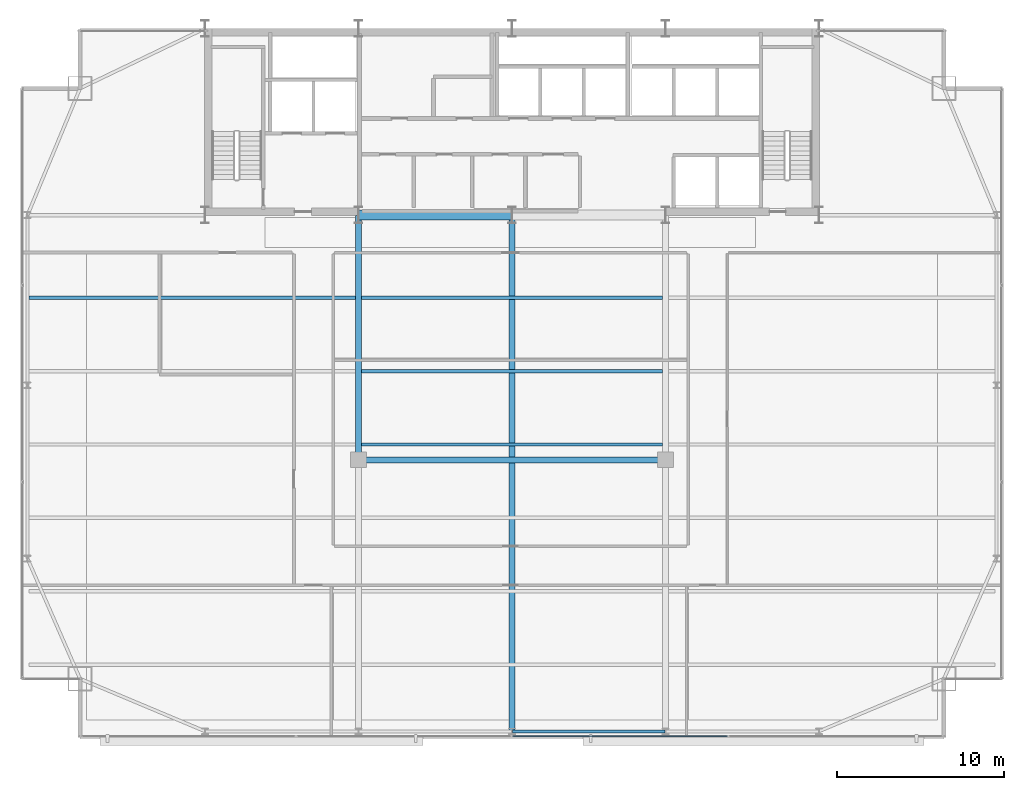
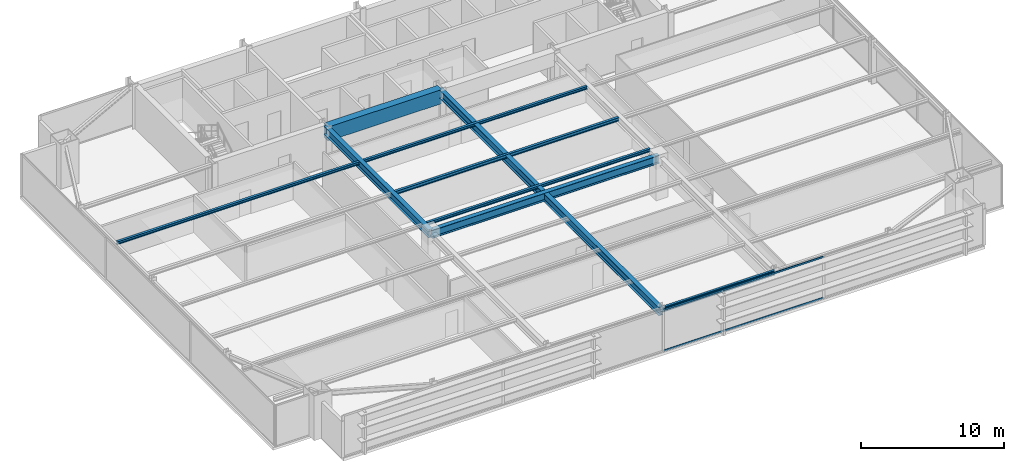
# One storey, part 11 of 30: 9 beams, 2 members, 1 element without a shape of its own.
"""IFC4 building model written with IfcOpenShell, lengths in metres."""

from ifc_helpers import new_model, si_unit, direction, frame, origin, origin_2d, place, context, subcontext, project, spatial, rectangle, hollow_rectangle, i_section, extrude, source, transform, mapped, material, layer, layer_set, material_profile, profile_set, type_object, type_shapes, element, aggregate, save


model = new_model("IFC4")

# Units and contexts
model_context = context("Model", 3, precision=1e-05, world=origin(), true_north=direction((0.0, 1.0)))
body_context = subcontext(model_context, "Body", "Model", "MODEL_VIEW")
ifc_project = project(units=[si_unit("LENGTHUNIT", "METRE"), si_unit("AREAUNIT", "SQUARE_METRE"), si_unit("VOLUMEUNIT", "CUBIC_METRE"), si_unit("PLANEANGLEUNIT", "RADIAN"), si_unit("MASSUNIT", "GRAM", prefix="KILO")], contexts=[model_context])

# Site, building, storey
site_placement = place(None, origin())
site = spatial("IfcSite", under=ifc_project, at=site_placement, CompositionType="ELEMENT")
building_placement = place(site_placement, origin())
building = spatial("IfcBuilding", under=site, at=building_placement, Name="Varnel Quay Broadcast Tower", CompositionType="ELEMENT")
storey_placement = place(building_placement, frame((0.0, 0.0, 122.0)))
storey = spatial("IfcBuildingStorey", under=building, at=storey_placement, Name="L29", CompositionType="ELEMENT", Elevation=122.0)

# Beams
ifc_material_1 = material(Name="Structural Steel CSA G40.21 350W", Category="steel")
ifc_material_profile_1 = material_profile(ifc_material_1, i_section(OverallWidth=0.180908203125, OverallDepth=0.4169921875, WebThickness=0.010986328125, FlangeThickness=0.018310546875, FilletRadius=0.011962890625, at=origin_2d()), Name="W410X85")
ifc_profile_set_1 = profile_set([ifc_material_profile_1], Name="Structural Steel CSA G40.21 350W")
beam_type_1 = type_object("IfcBeamType", Name="Beam_W410X85", PredefinedType="SPANDREL", material=ifc_profile_set_1)
shared_shape_1 = source(origin(), body_context, "Body", "SweptSolid", [
    extrude(i_section(OverallWidth=0.180908203125, OverallDepth=0.4169921875, WebThickness=0.010986328125, FlangeThickness=0.018310546875, FilletRadius=0.011962890625, at=origin_2d()), origin(), (0.0, 0.0, 1.0), 9.159912109375),
])
type_shapes(beam_type_1, [shared_shape_1])
beam_1_placement = place(storey_placement, frame((34.02001953125, 4.64990234375, 3.341552734375), z_axis=(1.0, 0.0, 0.0), x_axis=(0.0, 1.0, 0.0)))
element("IfcBeam", 1, at=beam_1_placement, inside=storey, type_object=beam_type_1, Name="L29 South Spandrel TC-S3-TC-S4", PredefinedType="SPANDREL", context=body_context, shape_type="MappedRepresentation", body=[
    mapped(shared_shape_1, transform((0.0, 0.0, 0.0), x_axis=(1.0, 0.0, 0.0), y_axis=(0.0, 1.0, 0.0), z_axis=(0.0, 0.0, 1.0), scale=1.0)),
])
ifc_material_2 = material(Name="Concrete CSA A23.3 C60/75", Category="concrete")
ifc_material_profile_2 = material_profile(ifc_material_2, rectangle(XDim=0.60009765625, YDim=1.199951171875, at=origin_2d()), Name="RC600X1200")
ifc_profile_set_2 = profile_set([ifc_material_profile_2], Name="Concrete CSA A23.3 C60/75")
beam_type_2 = type_object("IfcBeamType", Name="Beam_RC600X1200", PredefinedType="BEAM", material=ifc_profile_set_2)
shared_shape_2 = source(origin(), body_context, "Body", "SweptSolid", [
    extrude(rectangle(XDim=0.60009765625, YDim=1.199951171875, at=origin_2d()), origin(), (0.0, 0.0, 1.0), 9.159912109375),
])
type_shapes(beam_type_2, [shared_shape_2])
beam_2_placement = place(storey_placement, frame((24.820068359375, 35.60009765625, 2.949951171875), z_axis=(1.0, 0.0, 0.0), x_axis=(0.0, 1.0, 0.0)))
element("IfcBeam", 2, at=beam_2_placement, inside=storey, type_object=beam_type_2, Name="L29 Core Coupling Beam W", PredefinedType="BEAM", context=body_context, shape_type="MappedRepresentation", body=[
    mapped(shared_shape_2, transform((0.0, 0.0, 0.0), x_axis=(1.0, 0.0, 0.0), y_axis=(0.0, 1.0, 0.0), z_axis=(0.0, 0.0, 1.0), scale=1.0)),
])
ifc_material_profile_3 = material_profile(ifc_material_1, i_section(OverallWidth=0.35498046875, OverallDepth=0.695068359375, WebThickness=0.015380859375, FlangeThickness=0.02490234375, FilletRadius=0.01806640625, at=origin_2d()), Name="W690X217")
ifc_profile_set_3 = profile_set([ifc_material_profile_3], Name="Structural Steel CSA G40.21 350W")
beam_type_3 = type_object("IfcBeamType", Name="Girder_W690X217", PredefinedType="BEAM", material=ifc_profile_set_3)
shared_shape_3 = source(origin(), body_context, "Body", "SweptSolid", [
    extrude(i_section(OverallWidth=0.35498046875, OverallDepth=0.695068359375, WebThickness=0.015380859375, FlangeThickness=0.02490234375, FilletRadius=0.01806640625, at=origin_2d()), origin(), (0.0, 0.0, 1.0), 14.630126953125),
])
beam_3_placement = place(storey_placement, frame((24.800048828125, 20.949951171875, 3.202392578125), z_axis=(0.0, 1.0, 0.0), x_axis=(-1.0, 0.0, 0.0)))
element("IfcBeam", 3, at=beam_3_placement, inside=storey, type_object=beam_type_3, Name="L29 Primary Girder IC-01-CC-S2", PredefinedType="BEAM", context=body_context, shape_type="MappedRepresentation", body=[
    mapped(shared_shape_3, transform((0.0, 0.0, 0.0), x_axis=(1.0, 0.0, 0.0), y_axis=(0.0, 1.0, 0.0), z_axis=(0.0, 0.0, 1.0), scale=1.0)),
])
shared_shape_4 = source(origin(), body_context, "Body", "SweptSolid", [
    extrude(i_section(OverallWidth=0.35498046875, OverallDepth=0.695068359375, WebThickness=0.015380859375, FlangeThickness=0.02490234375, FilletRadius=0.01806640625, at=origin_2d()), origin(), (0.0, 0.0, 1.0), 18.35986328125),
])
beam_4_placement = place(storey_placement, frame((24.820068359375, 20.929931640625, 3.202392578125), z_axis=(1.0, 0.0, 0.0), x_axis=(0.0, 1.0, 0.0)))
element("IfcBeam", 4, at=beam_4_placement, inside=storey, type_object=beam_type_3, Name="L29 Interior Spine Girder", PredefinedType="BEAM", context=body_context, shape_type="MappedRepresentation", body=[
    mapped(shared_shape_4, transform((0.0, 0.0, 0.0), x_axis=(1.0, 0.0, 0.0), y_axis=(0.0, 1.0, 0.0), z_axis=(0.0, 0.0, 1.0), scale=1.0)),
])
shared_shape_5 = source(origin(), body_context, "Body", "SweptSolid", [
    extrude(i_section(OverallWidth=0.35498046875, OverallDepth=0.695068359375, WebThickness=0.015380859375, FlangeThickness=0.02490234375, FilletRadius=0.01806640625, at=origin_2d()), origin(), (0.0, 0.0, 1.0), 30.91015625),
])
type_shapes(beam_type_3, [shared_shape_3, shared_shape_4, shared_shape_5])
beam_5_placement = place(storey_placement, frame((34.0, 4.669921875, 3.202392578125), z_axis=(0.0, 1.0, 0.0), x_axis=(-1.0, 0.0, 0.0)))
element("IfcBeam", 5, at=beam_5_placement, inside=storey, type_object=beam_type_3, Name="L29 Central Bay Girder", PredefinedType="BEAM", context=body_context, shape_type="MappedRepresentation", body=[
    mapped(shared_shape_5, transform((0.0, 0.0, 0.0), x_axis=(1.0, 0.0, 0.0), y_axis=(0.0, 1.0, 0.0), z_axis=(0.0, 0.0, 1.0), scale=1.0)),
])
ifc_material_profile_4 = material_profile(ifc_material_1, i_section(OverallWidth=0.202880859375, OverallDepth=0.302978515625, WebThickness=0.007568359375, FlangeThickness=0.01318359375, FilletRadius=0.011962890625, at=origin_2d()), Name="W310X60")
ifc_profile_set_4 = profile_set([ifc_material_profile_4], Name="Structural Steel CSA G40.21 350W")
beam_type_4 = type_object("IfcBeamType", Name="Beam_W310X60", PredefinedType="JOIST", material=ifc_profile_set_4)
shared_shape_6 = source(origin(), body_context, "Body", "SweptSolid", [
    extrude(i_section(OverallWidth=0.202880859375, OverallDepth=0.302978515625, WebThickness=0.007568359375, FlangeThickness=0.01318359375, FilletRadius=0.011962890625, at=origin_2d()), origin(), (0.0, 0.0, 1.0), 18.05517578125),
])
type_shapes(beam_type_4, [shared_shape_6])
beam_6_placement = place(storey_placement, frame((24.972412109375, 26.25, 3.3984375), z_axis=(1.0, 0.0, 0.0), x_axis=(0.0, 1.0, 0.0)))
element("IfcBeam", 6, at=beam_6_placement, inside=storey, type_object=beam_type_4, Name="L29 Central Floor Joist 5", PredefinedType="JOIST", context=body_context, shape_type="MappedRepresentation", body=[
    mapped(shared_shape_6, transform((0.0, 0.0, 0.0), x_axis=(1.0, 0.0, 0.0), y_axis=(0.0, 1.0, 0.0), z_axis=(0.0, 0.0, 1.0), scale=1.0)),
])
ifc_material_profile_5 = material_profile(ifc_material_1, i_section(OverallWidth=0.201904296875, OverallDepth=0.2470703125, WebThickness=0.00732421875, FlangeThickness=0.010986328125, FilletRadius=0.010986328125, at=origin_2d()), Name="W250X49")
ifc_profile_set_5 = profile_set([ifc_material_profile_5], Name="Structural Steel CSA G40.21 350W")
beam_type_5 = type_object("IfcBeamType", Name="Beam_W250X49", PredefinedType="JOIST", material=ifc_profile_set_5)
shared_shape_7 = source(origin(), body_context, "Body", "SweptSolid", [
    extrude(i_section(OverallWidth=0.201904296875, OverallDepth=0.2470703125, WebThickness=0.00732421875, FlangeThickness=0.010986328125, FilletRadius=0.010986328125, at=origin_2d()), origin(), (0.0, 0.0, 1.0), 19.592041015625),
])
beam_7_placement = place(storey_placement, frame((5.035400390625, 30.64990234375, 3.426513671875), z_axis=(1.0, 0.0, 0.0), x_axis=(0.0, 1.0, 0.0)))
element("IfcBeam", 7, at=beam_7_placement, inside=storey, type_object=beam_type_5, Name="L29 West Floor Joist 6", PredefinedType="JOIST", context=body_context, shape_type="MappedRepresentation", body=[
    mapped(shared_shape_7, transform((0.0, 0.0, 0.0), x_axis=(1.0, 0.0, 0.0), y_axis=(0.0, 1.0, 0.0), z_axis=(0.0, 0.0, 1.0), scale=1.0)),
])
shared_shape_8 = source(origin(), body_context, "Body", "SweptSolid", [
    extrude(i_section(OverallWidth=0.201904296875, OverallDepth=0.2470703125, WebThickness=0.00732421875, FlangeThickness=0.010986328125, FilletRadius=0.010986328125, at=origin_2d()), origin(), (0.0, 0.0, 1.0), 18.05517578125),
])
type_shapes(beam_type_5, [shared_shape_7, shared_shape_8])
for number, where, z_axis, x_axis, name in (
    (8, (24.972412109375, 21.85009765625, 3.426513671875), (1.0, 0.0, 0.0), (0.0, 1.0, 0.0), "L29 Central Floor Joist 4"),
    (9, (24.972412109375, 30.64990234375, 3.426513671875), (1.0, 0.0, 0.0), (0.0, 1.0, 0.0), "L29 Central Floor Joist 6"),
):
    element("IfcBeam", number, at=place(storey_placement, frame(where, z_axis=z_axis, x_axis=x_axis)), inside=storey, type_object=beam_type_5, Name=name, PredefinedType="JOIST", context=body_context, shape_type="MappedRepresentation", body=[
        mapped(shared_shape_8, transform((0.0, 0.0, 0.0), x_axis=(1.0, 0.0, 0.0), y_axis=(0.0, 1.0, 0.0), z_axis=(0.0, 0.0, 1.0), scale=1.0)),
    ])

# Curtain wall, members
ifc_material_3 = material(Name="Anodised Bronze Aluminium 6063-T6", Category="aluminium")
ifc_layer = layer(ifc_material_3, 0.18994140625, Name="Anodised Bronze Aluminium 6063-T6")
ifc_layer_set = layer_set([ifc_layer], Name="Anodised Bronze Aluminium 6063-T6")
curtain_wall_type = type_object("IfcCurtainWallType", Name="CW_LowerTower", PredefinedType="NOTDEFINED", material=ifc_layer_set)
curtain_wall_placement = place(storey_placement, origin())
curtain_wall = element("IfcCurtainWall", 10, at=curtain_wall_placement, inside=storey, type_object=curtain_wall_type, Name="L29 South Unitised Curtain Wall 1", PredefinedType="NOTDEFINED")
ifc_material_profile_6 = material_profile(ifc_material_3, hollow_rectangle(XDim=0.06005859375, YDim=0.14501953125, WallThickness=0.00341796875, at=origin_2d()), Name="ALU60X145X3.5")
ifc_profile_set_6 = profile_set([ifc_material_profile_6], Name="Anodised Bronze Aluminium 6063-T6")
member_type = type_object("IfcMemberType", Name="Tran_CWS-02", PredefinedType="USERDEFINED", material=ifc_profile_set_6)
shared_shape_9 = source(origin(), body_context, "Body", "SweptSolid", [
    extrude(hollow_rectangle(XDim=0.06005859375, YDim=0.14501953125, WallThickness=0.00341796875, at=origin_2d()), origin(), (0.0, 0.0, 1.0), 12.880126953125),
])
type_shapes(member_type, [shared_shape_9])
member_1_placement = place(storey_placement, frame((34.034912109375, 4.35009765625, 0.030029296875), z_axis=(1.0, 0.0, 0.0), x_axis=(0.0, 1.0, 0.0)))
member_1 = element("IfcMember", 11, at=member_1_placement, type_object=member_type, Name="CWS-02 transom 3.1", ObjectType="TRANSOM", PredefinedType="USERDEFINED", context=body_context, shape_type="MappedRepresentation", body=[
    mapped(shared_shape_9, transform((0.0, 0.0, 0.0), x_axis=(1.0, 0.0, 0.0), y_axis=(0.0, 1.0, 0.0), z_axis=(0.0, 0.0, 1.0), scale=1.0)),
])
member_2_placement = place(storey_placement, frame((34.034912109375, 4.35009765625, 3.52001953125), z_axis=(1.0, 0.0, 0.0), x_axis=(0.0, 1.0, 0.0)))
member_2 = element("IfcMember", 12, at=member_2_placement, type_object=member_type, Name="CWS-02 transom 3.2", ObjectType="TRANSOM", PredefinedType="USERDEFINED", context=body_context, shape_type="MappedRepresentation", body=[
    mapped(shared_shape_9, transform((0.0, 0.0, 0.0), x_axis=(1.0, 0.0, 0.0), y_axis=(0.0, 1.0, 0.0), z_axis=(0.0, 0.0, 1.0), scale=1.0)),
])
aggregate(curtain_wall, [member_1, member_2])

save(model, "model.ifc")
